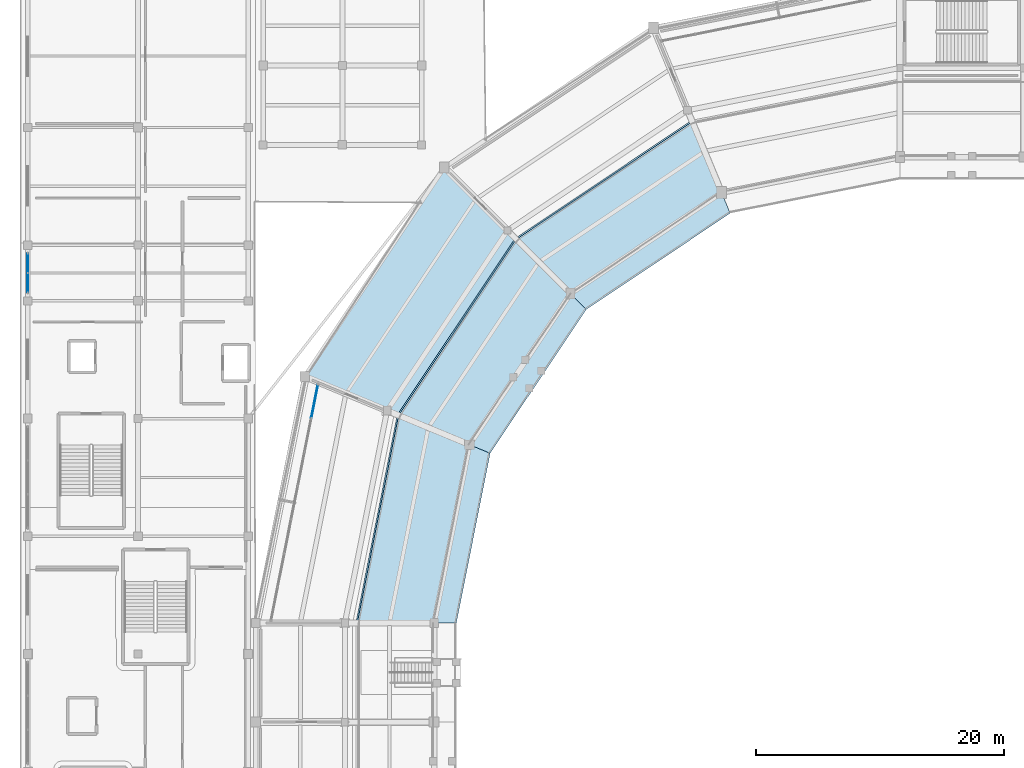
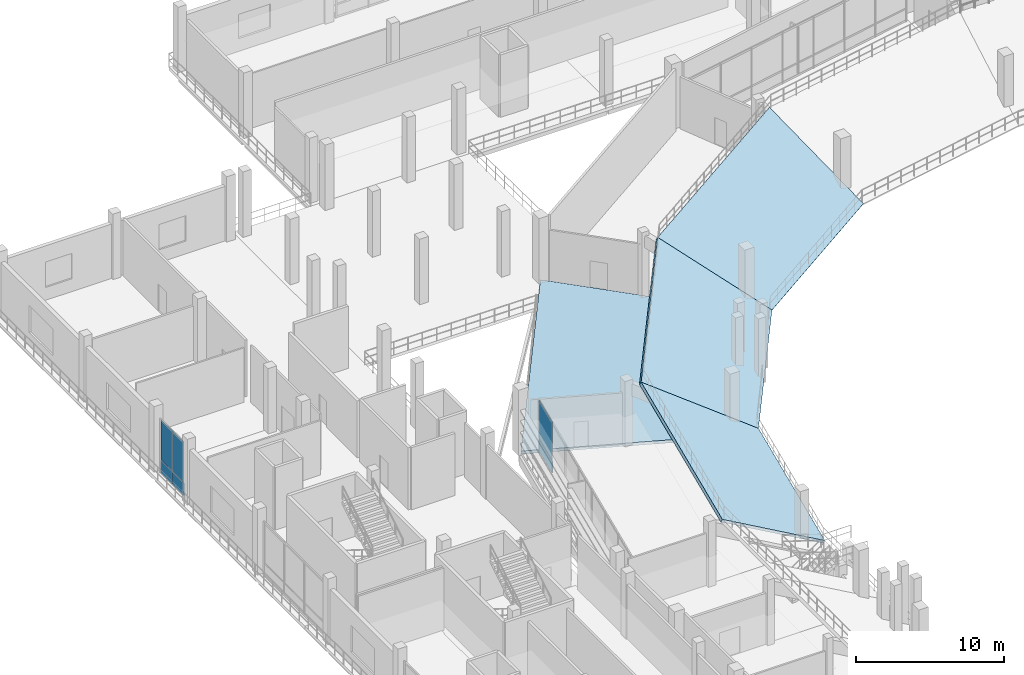
# One storey, part 65 of 127: 6 plates, 4 slabs, 2 elements without a shape of their own.
"""IFC4 building model written with IfcOpenShell, lengths in metres."""

from ifc_helpers import new_model, si_unit, direction, frame, origin, origin_2d, place, context, subcontext, project, spatial, polyline, rectangle, outline, extrude, material, layer, layer_set, type_object, element, aggregate, save


model = new_model("IFC4")

# Units and contexts
model_context = context("Model", 3, precision=1e-05, world=origin(), true_north=direction((0.0, 1.0)))
body_context = subcontext(model_context, "Body", "Model", "MODEL_VIEW")
ifc_project = project(units=[si_unit("LENGTHUNIT", "METRE"), si_unit("AREAUNIT", "SQUARE_METRE"), si_unit("VOLUMEUNIT", "CUBIC_METRE"), si_unit("PLANEANGLEUNIT", "RADIAN"), si_unit("MASSUNIT", "GRAM", prefix="KILO")], contexts=[model_context])

# Site, building, storey
site_placement = place(None, origin())
site = spatial("IfcSite", under=ifc_project, at=site_placement, CompositionType="ELEMENT")
building_placement = place(site_placement, origin())
building = spatial("IfcBuilding", under=site, at=building_placement, Name="Candeia Ridge Stadium", CompositionType="ELEMENT")
storey_placement = place(building_placement, frame((0.0, 0.0, 10.800048828125)))
storey = spatial("IfcBuildingStorey", under=building, at=storey_placement, Name="L02", CompositionType="ELEMENT", Elevation=10.800048828125)

# Slabs
ifc_material_1 = material(Name="Precast concrete C45/55", Category="concrete")
ifc_layer_1 = layer(ifc_material_1, 0.22509765625, Name="Precast concrete C45/55", Category="concrete")
ifc_layer_set_1 = layer_set([ifc_layer_1], Name="Precast concrete C45/55")
slab_type_1 = type_object("IfcSlabType", Name="Club Seating Tier Precast 225", PredefinedType="USERDEFINED", material=ifc_layer_set_1)
slab_1_placement = place(storey_placement, frame((57.300048828125, 128.074951171875, 0.39990234375), z_axis=(0.278715263732, -0.417085102929, 0.865076770395), x_axis=(-0.831444571051, -0.555607708072, 6.87557e-07)))
element("IfcSlab", 1, at=slab_1_placement, inside=storey, type_object=slab_type_1, Name="Stand Club Tier Stands Bay 09", ObjectType="SEATING TIER", PredefinedType="USERDEFINED", context=body_context, shape_type="SweptSolid", body=[
    extrude(outline(polyline([(0.0, 0.0), (13.968472441742488, 8.881784197001252e-16), (15.528879855339513, -9.070334794515325), (-1.5606633618274304, -9.070377363223672), (0.0, 0.0)])), origin(), (0.0, 0.0, -1.0), 0.22509765625),
])
slab_2_placement = place(storey_placement, frame((45.68603515625, 120.31396484375, 0.39990234375), z_axis=(0.417085102929, -0.278715263732, 0.865076770395), x_axis=(-0.555607708072, -0.831444571051, -6.87557e-07)))
element("IfcSlab", 2, at=slab_2_placement, inside=storey, type_object=slab_type_1, Name="Stand Club Tier Stands Bay 10", ObjectType="SEATING TIER", PredefinedType="USERDEFINED", context=body_context, shape_type="SweptSolid", body=[
    extrude(outline(polyline([(0.0, 0.0), (13.968472441742488, -8.881784197001252e-16), (15.529135803569918, -9.070377363223672), (-1.5604074135970254, -9.070334794515325), (0.0, 0.0)])), origin(), (0.0, 0.0, -1.0), 0.22509765625),
])
slab_3_placement = place(storey_placement, frame((37.925048828125, 108.699951171875, 0.39990234375), z_axis=(0.492009659407, -0.097864069881, 0.86507174204), x_axis=(-0.195089410595, -0.980785461692, 2.563371e-06)))
element("IfcSlab", 3, at=slab_3_placement, inside=storey, type_object=slab_type_1, Name="Stand Club Tier Stands Bay 11", ObjectType="SEATING TIER", PredefinedType="USERDEFINED", context=body_context, shape_type="SweptSolid", body=[
    extrude(outline(polyline([(0.0, 0.0), (13.96835063084204, 0.0), (15.529077579060049, -9.070119940205563), (-1.5612369801437325, -9.070278646793197), (0.0, 0.0)])), origin(), (0.0, 0.0, -1.0), 0.22509765625),
])

# Curtain wall, plates
ifc_material_2 = material(Name="Aluminium Anodized Warm Bronze", Category="aluminium")
curtain_wall_type_1 = type_object("IfcCurtainWallType", Name="Cardinal Entrance Gate Tall Glazed Curtain Wall", PredefinedType="NOTDEFINED", material=ifc_material_2)
curtain_wall_1_placement = place(storey_placement, origin())
curtain_wall_1 = element("IfcCurtainWall", 4, at=curtain_wall_1_placement, inside=storey, type_object=curtain_wall_type_1, Name="Unitised curtain wall CW-WNG-L02-086", PredefinedType="NOTDEFINED")
ifc_material_3 = material(Name="Laminated Acoustic Glazing", Category="glass")
ifc_layer_2 = layer(ifc_material_3, 0.035888671875, Name="Laminated Acoustic Glazing", Category="glass")
ifc_layer_set_2 = layer_set([ifc_layer_2], Name="Laminated Acoustic Glazing")
plate_type_1 = type_object("IfcPlateType", Name="Gate Tall Laminated Glass Panel GP3", PredefinedType="CURTAIN_PANEL", material=ifc_layer_set_2)
plate_1_placement = place(storey_placement, frame((0.60009765625, 122.455078125, 1.14013671875), z_axis=(0.0, 0.0, 1.0), x_axis=(0.0, 1.0, 0.0)))
plate_1 = element("IfcPlate", 5, at=plate_1_placement, type_object=plate_type_1, Name="Curtain wall vision glass panel CW-WNG-L02-086-GP0", PredefinedType="CURTAIN_PANEL", context=body_context, shape_type="SweptSolid", body=[
    extrude(rectangle(XDim=1.52001953125, YDim=0.035888671875, at=origin_2d()), origin(), (0.0, 0.0, 1.0), 3.304931640625),
])
plate_2_placement = place(storey_placement, frame((0.60009765625, 124.044921875, 1.14013671875), z_axis=(0.0, 0.0, 1.0), x_axis=(0.0, 1.0, 0.0)))
plate_2 = element("IfcPlate", 6, at=plate_2_placement, type_object=plate_type_1, Name="Curtain wall vision glass panel CW-WNG-L02-086-GP1", PredefinedType="CURTAIN_PANEL", context=body_context, shape_type="SweptSolid", body=[
    extrude(rectangle(XDim=1.52001953125, YDim=0.035888671875, at=origin_2d()), origin(), (0.0, 0.0, 1.0), 3.304931640625),
])

# Slab
ifc_material_4 = material(Name="Concrete C40/50", Category="concrete")
ifc_layer_3 = layer(ifc_material_4, 0.25, Name="Concrete C40/50", Category="concrete")
ifc_layer_set_3 = layer_set([ifc_layer_3], Name="Concrete C40/50")
slab_type_2 = type_object("IfcSlabType", Name="Hospitality & Museum Slab 250", PredefinedType="FLOOR", material=ifc_layer_set_3)
slab_4_placement = place(storey_placement, frame((0.0, 0.0, -0.25)))
element("IfcSlab", 7, at=slab_4_placement, inside=storey, type_object=slab_type_2, Name="Bowl concourse sector slab L02 bay 10 SLB-L02-0082", PredefinedType="FLOOR", context=body_context, shape_type="SweptSolid", body=[
    extrude(outline(polyline([(36.26220703125, 109.388916015625), (22.958251953125, 114.8994140625), (34.208251953125, 131.736328125), (44.390625, 121.553955078125), (36.26220703125, 109.388916015625)])), origin(), (0.0, 0.0, 1.0), 0.25),
])

# Curtain wall, plate
curtain_wall_type_2 = type_object("IfcCurtainWallType", Name="Concourse Recessed Unitised Curtain Wall", PredefinedType="NOTDEFINED", material=ifc_material_2)
curtain_wall_2_placement = place(storey_placement, origin())
curtain_wall_2 = element("IfcCurtainWall", 8, at=curtain_wall_2_placement, inside=storey, type_object=curtain_wall_type_2, Name="Unitised curtain wall CW-BWL-L02-10", PredefinedType="NOTDEFINED")
ifc_material_5 = material(Name="Aluminium Insulated Spandrel", Category="aluminium")
ifc_layer_4 = layer(ifc_material_5, 0.06494140625, Name="Aluminium Insulated Spandrel", Category="aluminium")
ifc_layer_set_4 = layer_set([ifc_layer_4], Name="Aluminium Insulated Spandrel")
plate_type_2 = type_object("IfcPlateType", Name="Insulated Bronze Spandrel Panel SP1", PredefinedType="CURTAIN_PANEL", material=ifc_layer_set_4)
plate_3_placement = place(storey_placement, frame((23.760498046875, 112.900390625, 0.0400390625), z_axis=(0.0, 0.0, 1.0), x_axis=(-0.195090320544, -0.980785280696, 0.0)))
plate_3 = element("IfcPlate", 9, at=plate_3_placement, type_object=plate_type_2, Name="Curtain wall spandrel panel CW-BWL-L02-10-SP0", PredefinedType="CURTAIN_PANEL", context=body_context, shape_type="SweptSolid", body=[
    extrude(rectangle(XDim=2.710205078125, YDim=0.06494140625, at=origin_2d()), origin(), (0.0, 0.0, 1.0), 0.983642578125),
])

# Plate
ifc_layer_5 = layer(ifc_material_5, 0.06494140625, Name="Aluminium Insulated Spandrel", Category="aluminium")
ifc_layer_set_5 = layer_set([ifc_layer_5], Name="Aluminium Insulated Spandrel")
plate_type_3 = type_object("IfcPlateType", Name="Insulated Cedar-Tone Spandrel Panel SP3", PredefinedType="CURTAIN_PANEL", material=ifc_layer_set_5)
plate_4_placement = place(storey_placement, frame((0.60009765625, 122.455078125, 0.0400390625), z_axis=(0.0, 0.0, 1.0), x_axis=(0.0, 1.0, 0.0)))
plate_4 = element("IfcPlate", 10, at=plate_4_placement, type_object=plate_type_3, Name="Curtain wall spandrel panel CW-WNG-L02-086-SP0", PredefinedType="CURTAIN_PANEL", context=body_context, shape_type="SweptSolid", body=[
    extrude(rectangle(XDim=1.52001953125, YDim=0.06494140625, at=origin_2d()), origin(), (0.0, 0.0, 1.0), 1.02001953125),
])

plate_5_placement = place(storey_placement, frame((0.60009765625, 124.044921875, 0.0400390625), z_axis=(0.0, 0.0, 1.0), x_axis=(0.0, 1.0, 0.0)))
plate_5 = element("IfcPlate", 11, at=plate_5_placement, type_object=plate_type_3, Name="Curtain wall spandrel panel CW-WNG-L02-086-SP1", PredefinedType="CURTAIN_PANEL", context=body_context, shape_type="SweptSolid", body=[
    extrude(rectangle(XDim=1.52001953125, YDim=0.06494140625, at=origin_2d()), origin(), (0.0, 0.0, 1.0), 1.02001953125),
])

aggregate(curtain_wall_1, [plate_4, plate_1, plate_5, plate_2])

ifc_material_6 = material(Name="Tempered Low-E Double Glazing", Category="glass")
ifc_layer_6 = layer(ifc_material_6, 0.035888671875, Name="Tempered Low-E Double Glazing", Category="glass")
ifc_layer_set_6 = layer_set([ifc_layer_6], Name="Tempered Low-E Double Glazing")
plate_type_4 = type_object("IfcPlateType", Name="Solar Control Vision Glass Panel GP1", PredefinedType="CURTAIN_PANEL", material=ifc_layer_set_6)
plate_6_placement = place(storey_placement, frame((23.760498046875, 112.900390625, 1.103759765625), z_axis=(0.0, 0.0, 1.0), x_axis=(-0.195090320544, -0.980785280696, 0.0)))
plate_6 = element("IfcPlate", 12, at=plate_6_placement, type_object=plate_type_4, Name="Curtain wall vision glass panel CW-BWL-L02-10-GP0", PredefinedType="CURTAIN_PANEL", context=body_context, shape_type="SweptSolid", body=[
    extrude(rectangle(XDim=2.710205078125, YDim=0.035888671875, at=origin_2d()), origin(), (0.0, 0.0, 1.0), 3.111328125),
])

aggregate(curtain_wall_2, [plate_3, plate_6])

save(model, "model.ifc")
